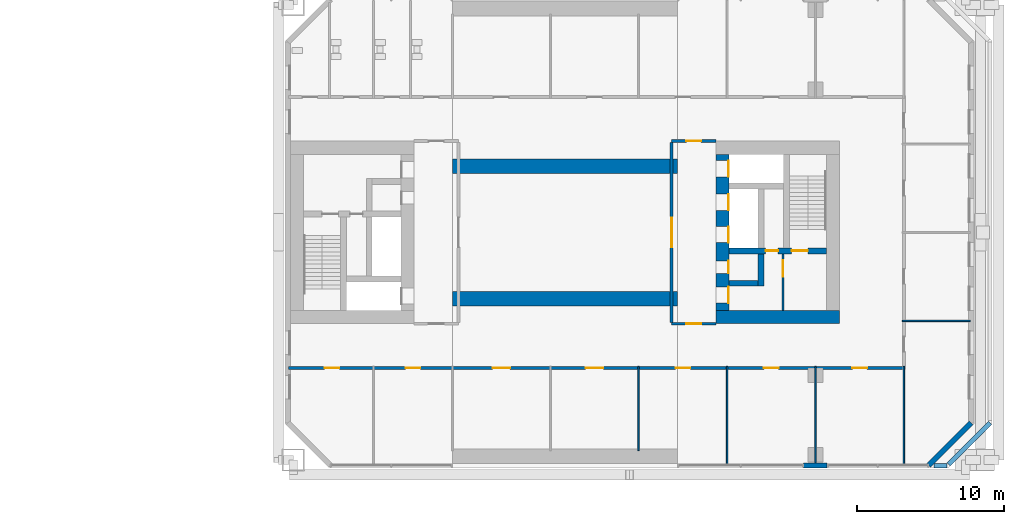
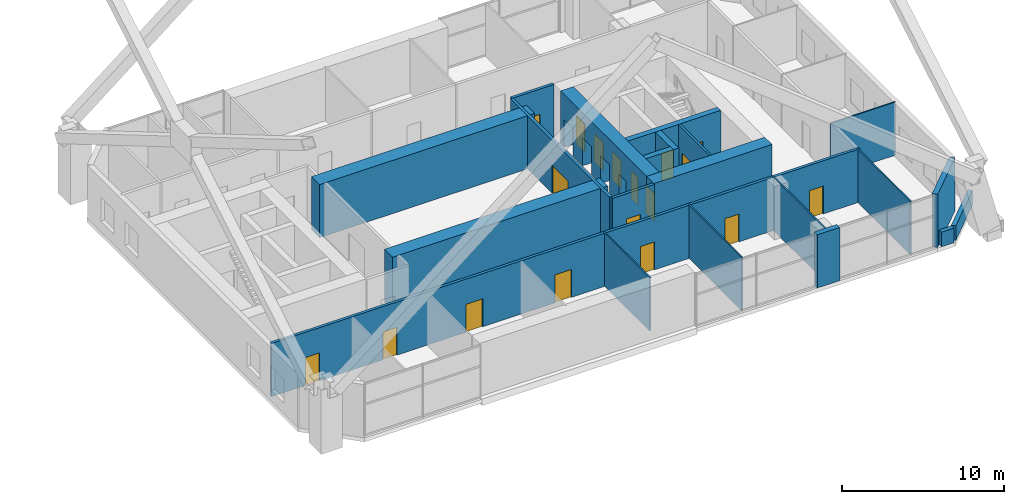
# One storey, part 21 of 25: 21 walls, 18 doors, 18 openings.
"""IFC4 building model written with IfcOpenShell, lengths in metres."""

from ifc_helpers import new_model, si_unit, direction, frame, frame_2d, origin, place, context, subcontext, project, spatial, rectangle, extrude, material, layer, layer_set, type_object, element, fill, save


model = new_model("IFC4")

# Units and contexts
model_context = context("Model", 3, precision=1e-05, world=origin(), true_north=direction((0.0, 1.0)))
body_context = subcontext(model_context, "Body", "Model", "MODEL_VIEW")
ifc_project = project(units=[si_unit("LENGTHUNIT", "METRE"), si_unit("AREAUNIT", "SQUARE_METRE"), si_unit("VOLUMEUNIT", "CUBIC_METRE"), si_unit("PLANEANGLEUNIT", "RADIAN"), si_unit("MASSUNIT", "GRAM", prefix="KILO")], contexts=[model_context])

# Site, building, storey
site_placement = place(None, origin())
site = spatial("IfcSite", under=ifc_project, at=site_placement, CompositionType="ELEMENT")
building_placement = place(site_placement, origin())
building = spatial("IfcBuilding", under=site, at=building_placement, Name="Tuart Gate Housing", CompositionType="ELEMENT")
storey_placement = place(building_placement, frame((0.0, 0.0, 14.699951171875)))
storey = spatial("IfcBuildingStorey", under=building, at=storey_placement, Name="L03", CompositionType="ELEMENT", Elevation=14.699951171875)

# Walls
ifc_material_1 = material(Name="Brick", Category="masonry")
ifc_layer_1 = layer(ifc_material_1, 0.300048828125)
ifc_layer_set_1 = layer_set([ifc_layer_1], Name="Brick parapet wall 300")
wall_type_1 = type_object("IfcWallType", Name="Brick parapet wall 300", PredefinedType="PARAPET", material=ifc_layer_set_1)
wall_1_placement = place(storey_placement, frame((175.050048828125, 54.14990234375, 0.0), z_axis=(0.0, 0.0, 1.0), x_axis=(1.0, 0.0, 0.0)))
element("IfcWall", 1, at=wall_1_placement, inside=storey, type_object=wall_type_1, Name="Roof parapet B 1", PredefinedType="PARAPET", context=body_context, shape_type="SweptSolid", body=[
    extrude(rectangle(XDim=0.887939453125, YDim=0.300048828125, at=frame_2d((0.44384765625, 0.0))), origin(), (0.0, 0.0, 1.0), 1.10009765625),
])
wall_2_placement = place(storey_placement, frame((176.04541015625, 54.257568359375, 0.0), z_axis=(0.0, 0.0, 1.0), x_axis=(0.707137557743, 0.70707600329, 0.0)))
element("IfcWall", 2, at=wall_2_placement, inside=storey, type_object=wall_type_1, Name="Roof parapet B 2", PredefinedType="PARAPET", context=body_context, shape_type="SweptSolid", body=[
    extrude(rectangle(XDim=3.96630859375, YDim=0.300048828125, at=frame_2d((1.983154296875, 0.0))), origin(), (0.0, 0.0, 1.0), 1.10009765625),
])
ifc_material_2 = material(Name="Brick", Category="masonry")
ifc_layer_2 = layer(ifc_material_2, 0.360107421875)
ifc_layer_set_2 = layer_set([ifc_layer_2], Name="Brick pier and spandrel wall 360")
wall_type_2 = type_object("IfcWallType", Name="Brick pier and spandrel wall 360", PredefinedType="STANDARD", material=ifc_layer_set_2)
wall_3_placement = place(storey_placement, frame((166.199951171875, 54.179931640625, 0.0), z_axis=(0.0, 0.0, 1.0), x_axis=(1.0, 0.0, 0.0)))
element("IfcWall", 3, at=wall_3_placement, inside=storey, type_object=wall_type_2, Name="External wall B-S L03", PredefinedType="STANDARD", context=body_context, shape_type="SweptSolid", body=[
    extrude(rectangle(XDim=1.60009765625, YDim=0.360107421875, at=frame_2d((0.800048828125, 0.0))), origin(), (0.0, 0.0, 1.0), 4.0),
])
wall_4_placement = place(storey_placement, frame((174.67529296875, 54.179931640625, 0.0), z_axis=(0.0, 0.0, 1.0), x_axis=(0.707106781187, 0.707106781187, 0.0)))
element("IfcWall", 4, at=wall_4_placement, inside=storey, type_object=wall_type_2, Name="External wall B-SE L03", PredefinedType="STANDARD", context=body_context, shape_type="SweptSolid", body=[
    extrude(rectangle(XDim=4.09375, YDim=0.360107421875, at=frame_2d((2.046875, 0.0))), origin(), (0.0, 0.0, 1.0), 4.0),
])

# Wall, opening, door
ifc_material_3 = material(Name="Plasterboard partition")
ifc_layer_3 = layer(ifc_material_3, 0.14990234375)
ifc_layer_set_3 = layer_set([ifc_layer_3], Name="Core partition 150")
wall_type_3 = type_object("IfcWallType", Name="Core partition 150", PredefinedType="PARTITIONING", material=ifc_layer_set_3)
wall_5_placement = place(storey_placement, frame((164.7900390625, 68.550048828125, 0.0), z_axis=(0.0, 0.0, 1.0), x_axis=(0.0, -1.0, 0.0)))
wall_5 = element("IfcWall", 5, at=wall_5_placement, inside=storey, type_object=wall_type_3, Name="Core partition BK.6", PredefinedType="PARTITIONING", context=body_context, shape_type="SweptSolid", body=[
    extrude(rectangle(XDim=3.85009765625, YDim=0.14990234375, at=frame_2d((1.925048828125, 0.0))), origin(), (0.0, 0.0, 1.0), 4.0),
])
opening_1_placement = place(wall_5_placement, frame((0.449951171875, 0.0, 0.0)))
opening_1 = element("IfcOpeningElement", 6, at=opening_1_placement, cuts=wall_5, Name="Opening D061", PredefinedType="OPENING", context=body_context, shape_type="SweptSolid", body=[
    extrude(rectangle(XDim=1.10009765625, YDim=2.10009765625, at=frame_2d((0.550048828125, 1.050048828125))), frame((0.0, 0.0849609375, 0.0), z_axis=(0.0, -1.0, 0.0), x_axis=(1.0, 0.0, 0.0)), (0.0, 0.0, 1.0), 0.169921875),
])
ifc_material_4 = material(Name="Steel fire door", Category="steel")
door_type_1 = type_object("IfcDoorType", Name="Lobby door 1100 x 2100", OperationType="SINGLE_SWING_LEFT", PredefinedType="DOOR", material=ifc_material_4)
door_1_placement = place(opening_1_placement, origin())
door_1 = element("IfcDoor", 7, at=door_1_placement, inside=storey, type_object=door_type_1, Name="Smoke lobby door BK.KD", OperationType="SINGLE_SWING_LEFT", OverallHeight=2.10009765625, OverallWidth=1.10009765625, PredefinedType="DOOR", context=body_context, shape_type="SweptSolid", body=[
    extrude(rectangle(XDim=1.10009765625, YDim=2.10009765625, at=frame_2d((0.550048828125, 1.050048828125))), frame((0.0, 0.02490234375, 0.0), z_axis=(0.0, -1.0, 0.0), x_axis=(1.0, 0.0, 0.0)), (0.0, 0.0, 1.0), 0.050048828125),
])
fill(opening_1, door_1)

# Wall, openings, doors
ifc_material_5 = material(Name="Concrete C60", Category="concrete")
ifc_layer_4 = layer(ifc_material_5, 0.39990234375)
ifc_layer_set_4 = layer_set([ifc_layer_4], Name="Core wall 400 C60")
wall_type_4 = type_object("IfcWallType", Name="Core wall 400 C60", PredefinedType="SHEAR", material=ifc_layer_set_4)
wall_6_placement = place(storey_placement, frame((161.139892578125, 68.75, 0.0), z_axis=(0.0, 0.0, 1.0), x_axis=(1.0, 0.0, 0.0)))
wall_6 = element("IfcWall", 8, at=wall_6_placement, inside=storey, type_object=wall_type_4, Name="Core wall BK.2", PredefinedType="SHEAR", context=body_context, shape_type="SweptSolid", body=[
    extrude(rectangle(XDim=6.60009765625, YDim=0.39990234375, at=frame_2d((3.300048828125, 0.0))), origin(), (0.0, 0.0, 1.0), 4.0),
])
opening_2_placement = place(wall_6_placement, frame((4.25, 0.0, 0.0)))
opening_2 = element("IfcOpeningElement", 9, at=opening_2_placement, cuts=wall_6, Name="Opening D060", PredefinedType="OPENING", context=body_context, shape_type="SweptSolid", body=[
    extrude(rectangle(XDim=1.10009765625, YDim=2.10009765625, at=frame_2d((0.550048828125, 1.050048828125))), frame((0.0, 0.2099609375, 0.0), z_axis=(0.0, -1.0, 0.0), x_axis=(1.0, 0.0, 0.0)), (0.0, 0.0, 1.0), 0.419921875),
])
opening_3_placement = place(wall_6_placement, frame((2.47509765625, 0.0, 0.0)))
opening_3 = element("IfcOpeningElement", 10, at=opening_3_placement, cuts=wall_6, Name="Opening D059", PredefinedType="OPENING", context=body_context, shape_type="SweptSolid", body=[
    extrude(rectangle(XDim=0.85009765625, YDim=2.10009765625, at=frame_2d((0.425048828125, 1.050048828125))), frame((0.0, 0.2099609375, 0.0), z_axis=(0.0, -1.0, 0.0), x_axis=(1.0, 0.0, 0.0)), (0.0, 0.0, 1.0), 0.419921875),
])
ifc_material_6 = material(Name="Steel fire door", Category="steel")
door_type_2 = type_object("IfcDoorType", Name="Riser door 850 x 2100", OperationType="SINGLE_SWING_LEFT", PredefinedType="DOOR", material=ifc_material_6)
door_2_placement = place(opening_3_placement, origin())
door_2 = element("IfcDoor", 11, at=door_2_placement, inside=storey, type_object=door_type_2, Name="Service room door BK.W1", OperationType="SINGLE_SWING_LEFT", OverallHeight=2.10009765625, OverallWidth=0.85009765625, PredefinedType="DOOR", context=body_context, shape_type="SweptSolid", body=[
    extrude(rectangle(XDim=0.85009765625, YDim=2.10009765625, at=frame_2d((0.425048828125, 1.050048828125))), frame((0.0, 0.02490234375, 0.0), z_axis=(0.0, -1.0, 0.0), x_axis=(1.0, 0.0, 0.0)), (0.0, 0.0, 1.0), 0.050048828125),
])
fill(opening_3, door_2)
ifc_material_7 = material(Name="Steel fire door", Category="steel")
door_type_3 = type_object("IfcDoorType", Name="Stair door 1100 x 2100", OperationType="SINGLE_SWING_LEFT", PredefinedType="DOOR", material=ifc_material_7)
door_3_placement = place(opening_2_placement, origin())
door_3 = element("IfcDoor", 12, at=door_3_placement, inside=storey, type_object=door_type_3, Name="Stair door BK.SD", OperationType="SINGLE_SWING_LEFT", OverallHeight=2.10009765625, OverallWidth=1.10009765625, PredefinedType="DOOR", context=body_context, shape_type="SweptSolid", body=[
    extrude(rectangle(XDim=1.10009765625, YDim=2.10009765625, at=frame_2d((0.550048828125, 1.050048828125))), frame((0.0, 0.02490234375, 0.0), z_axis=(0.0, -1.0, 0.0), x_axis=(1.0, 0.0, 0.0)), (0.0, 0.0, 1.0), 0.050048828125),
])
fill(opening_2, door_3)

# Walls
wall_7_placement = place(storey_placement, frame((161.139892578125, 66.550048828125, 0.0), z_axis=(0.0, 0.0, 1.0), x_axis=(1.0, 0.0, 0.0)))
element("IfcWall", 13, at=wall_7_placement, inside=storey, type_object=wall_type_4, Name="Core wall BK.3", PredefinedType="SHEAR", context=body_context, shape_type="SweptSolid", body=[
    extrude(rectangle(XDim=1.9501953125, YDim=0.39990234375, at=frame_2d((0.97509765625, 0.0))), origin(), (0.0, 0.0, 1.0), 4.0),
])
wall_8_placement = place(storey_placement, frame((163.2900390625, 68.550048828125, 0.0), z_axis=(0.0, 0.0, 1.0), x_axis=(0.0, -1.0, 0.0)))
element("IfcWall", 14, at=wall_8_placement, inside=storey, type_object=wall_type_4, Name="Core wall BK.5", PredefinedType="SHEAR", context=body_context, shape_type="SweptSolid", body=[
    extrude(rectangle(XDim=2.199951171875, YDim=0.39990234375, at=frame_2d((1.10009765625, 0.0))), origin(), (0.0, 0.0, 1.0), 4.0),
])

# Wall, openings, doors
ifc_material_8 = material(Name="Concrete C60", Category="concrete")
ifc_layer_5 = layer(ifc_material_8, 0.89990234375)
ifc_layer_set_5 = layer_set([ifc_layer_5], Name="Core wall 900 C60")
wall_type_5 = type_object("IfcWallType", Name="Core wall 900 C60", PredefinedType="SHEAR", material=ifc_layer_set_5)
wall_9_placement = place(storey_placement, frame((160.68994140625, 75.300048828125, 0.0), z_axis=(0.0, 0.0, 1.0), x_axis=(0.0, -1.0, 0.0)))
wall_9 = element("IfcWall", 15, at=wall_9_placement, inside=storey, type_object=wall_type_5, Name="Core wall BK front", PredefinedType="SHEAR", context=body_context, shape_type="SweptSolid", body=[
    extrude(rectangle(XDim=10.60009765625, YDim=0.89990234375, at=frame_2d((5.300048828125, 0.0))), origin(), (0.0, 0.0, 1.0), 4.0),
])
opening_4_placement = place(wall_9_placement, frame((0.425048828125, 0.0, 0.0)))
opening_4 = element("IfcOpeningElement", 16, at=opening_4_placement, cuts=wall_9, Name="Opening LD-FB2", PredefinedType="OPENING", context=body_context, shape_type="SweptSolid", body=[
    extrude(rectangle(XDim=1.10009765625, YDim=2.10009765625, at=frame_2d((0.550048828125, 1.050048828125))), frame((0.0, 0.4599609375, 0.0), z_axis=(0.0, -1.0, 0.0), x_axis=(1.0, 0.0, 0.0)), (0.0, 0.0, 1.0), 0.919921875),
])
opening_5_placement = place(wall_9_placement, frame((2.699951171875, 0.0, 0.0)))
opening_5 = element("IfcOpeningElement", 17, at=opening_5_placement, cuts=wall_9, Name="Opening LD-LB3", PredefinedType="OPENING", context=body_context, shape_type="SweptSolid", body=[
    extrude(rectangle(XDim=1.10009765625, YDim=2.10009765625, at=frame_2d((0.550048828125, 1.050048828125))), frame((0.0, 0.4599609375, 0.0), z_axis=(0.0, -1.0, 0.0), x_axis=(1.0, 0.0, 0.0)), (0.0, 0.0, 1.0), 0.919921875),
])
opening_6_placement = place(wall_9_placement, frame((4.89990234375, 0.0, 0.0)))
opening_6 = element("IfcOpeningElement", 18, at=opening_6_placement, cuts=wall_9, Name="Opening LD-LB4", PredefinedType="OPENING", context=body_context, shape_type="SweptSolid", body=[
    extrude(rectangle(XDim=1.10009765625, YDim=2.10009765625, at=frame_2d((0.550048828125, 1.050048828125))), frame((0.0, 0.4599609375, 0.0), z_axis=(0.0, -1.0, 0.0), x_axis=(1.0, 0.0, 0.0)), (0.0, 0.0, 1.0), 0.919921875),
])
opening_7_placement = place(wall_9_placement, frame((9.0, 0.0, 0.0)))
opening_7 = element("IfcOpeningElement", 19, at=opening_7_placement, cuts=wall_9, Name="Opening D053", PredefinedType="OPENING", context=body_context, shape_type="SweptSolid", body=[
    extrude(rectangle(XDim=1.10009765625, YDim=2.10009765625, at=frame_2d((0.550048828125, 1.050048828125))), frame((0.0, 0.4599609375, 0.0), z_axis=(0.0, -1.0, 0.0), x_axis=(1.0, 0.0, 0.0)), (0.0, 0.0, 1.0), 0.919921875),
])
opening_8_placement = place(wall_9_placement, frame((7.22509765625, 0.0, 0.0)))
opening_8 = element("IfcOpeningElement", 20, at=opening_8_placement, cuts=wall_9, Name="Opening D054", PredefinedType="OPENING", context=body_context, shape_type="SweptSolid", body=[
    extrude(rectangle(XDim=0.85009765625, YDim=2.10009765625, at=frame_2d((0.425048828125, 1.050048828125))), frame((0.0, 0.4599609375, 0.0), z_axis=(0.0, -1.0, 0.0), x_axis=(1.0, 0.0, 0.0)), (0.0, 0.0, 1.0), 0.919921875),
])
ifc_material_9 = material(Name="Stainless steel", Category="steel")
door_type_4 = type_object("IfcDoorType", Name="Landing door 1100 x 2100", OperationType="DOUBLE_DOOR_SLIDING", PredefinedType="DOOR", material=ifc_material_9)
door_4_placement = place(opening_4_placement, origin())
door_4 = element("IfcDoor", 21, at=door_4_placement, inside=storey, type_object=door_type_4, Name="Lift landing door FB2", OperationType="DOUBLE_DOOR_SLIDING", OverallHeight=2.10009765625, OverallWidth=1.10009765625, PredefinedType="DOOR", context=body_context, shape_type="SweptSolid", body=[
    extrude(rectangle(XDim=1.10009765625, YDim=2.10009765625, at=frame_2d((0.550048828125, 1.050048828125))), frame((0.0, 0.43505859375, 0.0), z_axis=(0.0, -1.0, 0.0), x_axis=(1.0, 0.0, 0.0)), (0.0, 0.0, 1.0), 0.050048828125),
])
fill(opening_4, door_4)
door_5_placement = place(opening_5_placement, origin())
door_5 = element("IfcDoor", 22, at=door_5_placement, inside=storey, type_object=door_type_4, Name="Lift landing door LB3", OperationType="DOUBLE_DOOR_SLIDING", OverallHeight=2.10009765625, OverallWidth=1.10009765625, PredefinedType="DOOR", context=body_context, shape_type="SweptSolid", body=[
    extrude(rectangle(XDim=1.10009765625, YDim=2.10009765625, at=frame_2d((0.550048828125, 1.050048828125))), frame((0.0, 0.43505859375, 0.0), z_axis=(0.0, -1.0, 0.0), x_axis=(1.0, 0.0, 0.0)), (0.0, 0.0, 1.0), 0.050048828125),
])
fill(opening_5, door_5)
door_6_placement = place(opening_6_placement, origin())
door_6 = element("IfcDoor", 23, at=door_6_placement, inside=storey, type_object=door_type_4, Name="Lift landing door LB4", OperationType="DOUBLE_DOOR_SLIDING", OverallHeight=2.10009765625, OverallWidth=1.10009765625, PredefinedType="DOOR", context=body_context, shape_type="SweptSolid", body=[
    extrude(rectangle(XDim=1.10009765625, YDim=2.10009765625, at=frame_2d((0.550048828125, 1.050048828125))), frame((0.0, 0.43505859375, 0.0), z_axis=(0.0, -1.0, 0.0), x_axis=(1.0, 0.0, 0.0)), (0.0, 0.0, 1.0), 0.050048828125),
])
fill(opening_6, door_6)
door_7_placement = place(opening_7_placement, origin())
door_7 = element("IfcDoor", 24, at=door_7_placement, inside=storey, type_object=door_type_1, Name="Lobby entry door BK.EN", OperationType="SINGLE_SWING_LEFT", OverallHeight=2.10009765625, OverallWidth=1.10009765625, PredefinedType="DOOR", context=body_context, shape_type="SweptSolid", body=[
    extrude(rectangle(XDim=1.10009765625, YDim=2.10009765625, at=frame_2d((0.550048828125, 1.050048828125))), frame((0.0, 0.43505859375, 0.0), z_axis=(0.0, -1.0, 0.0), x_axis=(1.0, 0.0, 0.0)), (0.0, 0.0, 1.0), 0.050048828125),
])
fill(opening_7, door_7)
ifc_material_10 = material(Name="Steel fire door", Category="steel")
door_type_5 = type_object("IfcDoorType", Name="Service door 850 x 2100", OperationType="SINGLE_SWING_LEFT", PredefinedType="DOOR", material=ifc_material_10)
door_8_placement = place(opening_8_placement, origin())
door_8 = element("IfcDoor", 25, at=door_8_placement, inside=storey, type_object=door_type_5, Name="Service room door BK.T1", OperationType="SINGLE_SWING_LEFT", OverallHeight=2.10009765625, OverallWidth=0.85009765625, PredefinedType="DOOR", context=body_context, shape_type="SweptSolid", body=[
    extrude(rectangle(XDim=0.85009765625, YDim=2.10009765625, at=frame_2d((0.425048828125, 1.050048828125))), frame((0.0, 0.43505859375, 0.0), z_axis=(0.0, -1.0, 0.0), x_axis=(1.0, 0.0, 0.0)), (0.0, 0.0, 1.0), 0.050048828125),
])
fill(opening_8, door_8)

# Wall
wall_10_placement = place(storey_placement, frame((160.239990234375, 64.25, 0.0), z_axis=(0.0, 0.0, 1.0), x_axis=(1.0, 0.0, 0.0)))
element("IfcWall", 26, at=wall_10_placement, inside=storey, type_object=wall_type_5, Name="Core wall BK north", PredefinedType="SHEAR", context=body_context, shape_type="SweptSolid", body=[
    extrude(rectangle(XDim=8.39990234375, YDim=0.89990234375, at=frame_2d((4.199951171875, 0.0))), origin(), (0.0, 0.0, 1.0), 4.0),
])

# Wall, openings, doors
ifc_material_11 = material(Name="Concrete masonry 15 MPa", Category="masonry")
ifc_layer_6 = layer(ifc_material_11, 0.199951171875)
ifc_layer_set_6 = layer_set([ifc_layer_6], Name="Corridor wall masonry 200")
wall_type_6 = type_object("IfcWallType", Name="Corridor wall masonry 200", PredefinedType="PARTITIONING", material=ifc_layer_set_6)
wall_11_placement = place(storey_placement, frame((131.239990234375, 60.800048828125, 0.0), z_axis=(0.0, 0.0, 1.0), x_axis=(1.0, 0.0, 0.0)))
wall_11 = element("IfcWall", 27, at=wall_11_placement, inside=storey, type_object=wall_type_6, Name="Corridor wall masonry 200", PredefinedType="PARTITIONING", context=body_context, shape_type="SweptSolid", body=[
    extrude(rectangle(XDim=41.860107421875, YDim=0.199951171875, at=frame_2d((20.93017578125, 0.0))), origin(), (0.0, 0.0, 1.0), 4.0),
])
opening_9_placement = place(wall_11_placement, frame((2.43994140625, 0.0, 0.0)))
opening_9 = element("IfcOpeningElement", 28, at=opening_9_placement, cuts=wall_11, Name="Opening D064", PredefinedType="OPENING", context=body_context, shape_type="SweptSolid", body=[
    extrude(rectangle(XDim=1.0, YDim=2.10009765625, at=frame_2d((0.5, 1.050048828125))), frame((0.0, 0.10986328125, 0.0), z_axis=(0.0, -1.0, 0.0), x_axis=(1.0, 0.0, 0.0)), (0.0, 0.0, 1.0), 0.219970703125),
])
opening_10_placement = place(wall_11_placement, frame((7.93505859375, 0.0, 0.0)))
opening_10 = element("IfcOpeningElement", 29, at=opening_10_placement, cuts=wall_11, Name="Opening D065", PredefinedType="OPENING", context=body_context, shape_type="SweptSolid", body=[
    extrude(rectangle(XDim=1.0, YDim=2.10009765625, at=frame_2d((0.5, 1.050048828125))), frame((0.0, 0.10986328125, 0.0), z_axis=(0.0, -1.0, 0.0), x_axis=(1.0, 0.0, 0.0)), (0.0, 0.0, 1.0), 0.219970703125),
])
opening_11_placement = place(wall_11_placement, frame((13.8349609375, 0.0, 0.0)))
opening_11 = element("IfcOpeningElement", 30, at=opening_11_placement, cuts=wall_11, Name="Opening D069", PredefinedType="OPENING", context=body_context, shape_type="SweptSolid", body=[
    extrude(rectangle(XDim=1.199951171875, YDim=2.10009765625, at=frame_2d((0.60009765625, 1.050048828125))), frame((0.0, 0.10986328125, 0.0), z_axis=(0.0, -1.0, 0.0), x_axis=(1.0, 0.0, 0.0)), (0.0, 0.0, 1.0), 0.219970703125),
])
opening_12_placement = place(wall_11_placement, frame((20.159912109375, 0.0, 0.0)))
opening_12 = element("IfcOpeningElement", 31, at=opening_12_placement, cuts=wall_11, Name="Opening D070", PredefinedType="OPENING", context=body_context, shape_type="SweptSolid", body=[
    extrude(rectangle(XDim=1.199951171875, YDim=2.10009765625, at=frame_2d((0.60009765625, 1.050048828125))), frame((0.0, 0.10986328125, 0.0), z_axis=(0.0, -1.0, 0.0), x_axis=(1.0, 0.0, 0.0)), (0.0, 0.0, 1.0), 0.219970703125),
])
opening_13_placement = place(wall_11_placement, frame((26.260009765625, 0.0, 0.0)))
opening_13 = element("IfcOpeningElement", 32, at=opening_13_placement, cuts=wall_11, Name="Opening D066", PredefinedType="OPENING", context=body_context, shape_type="SweptSolid", body=[
    extrude(rectangle(XDim=1.0, YDim=2.10009765625, at=frame_2d((0.5, 1.050048828125))), frame((0.0, 0.10986328125, 0.0), z_axis=(0.0, -1.0, 0.0), x_axis=(1.0, 0.0, 0.0)), (0.0, 0.0, 1.0), 0.219970703125),
])
opening_14_placement = place(wall_11_placement, frame((32.260009765625, 0.0, 0.0)))
opening_14 = element("IfcOpeningElement", 33, at=opening_14_placement, cuts=wall_11, Name="Opening D067", PredefinedType="OPENING", context=body_context, shape_type="SweptSolid", body=[
    extrude(rectangle(XDim=1.0, YDim=2.10009765625, at=frame_2d((0.5, 1.050048828125))), frame((0.0, 0.10986328125, 0.0), z_axis=(0.0, -1.0, 0.0), x_axis=(1.0, 0.0, 0.0)), (0.0, 0.0, 1.0), 0.219970703125),
])
opening_15_placement = place(wall_11_placement, frame((38.260009765625, 0.0, 0.0)))
opening_15 = element("IfcOpeningElement", 34, at=opening_15_placement, cuts=wall_11, Name="Opening D068", PredefinedType="OPENING", context=body_context, shape_type="SweptSolid", body=[
    extrude(rectangle(XDim=1.0, YDim=2.10009765625, at=frame_2d((0.5, 1.050048828125))), frame((0.0, 0.10986328125, 0.0), z_axis=(0.0, -1.0, 0.0), x_axis=(1.0, 0.0, 0.0)), (0.0, 0.0, 1.0), 0.219970703125),
])
ifc_material_12 = material(Name="Timber door leaf in steel frame", Category="steel")
door_type_6 = type_object("IfcDoorType", Name="Fire door 1000 RH", OperationType="SINGLE_SWING_RIGHT", PredefinedType="DOOR", material=ifc_material_12)
door_9_placement = place(opening_9_placement, frame((1.0, 0.0, 0.0), z_axis=(0.0, 0.0, 1.0), x_axis=(-1.0, 0.0, 0.0)))
door_9 = element("IfcDoor", 35, at=door_9_placement, inside=storey, type_object=door_type_6, Name="Fire door 1000", OperationType="SINGLE_SWING_RIGHT", OverallHeight=2.10009765625, OverallWidth=1.0, PredefinedType="DOOR", context=body_context, shape_type="SweptSolid", body=[
    extrude(rectangle(XDim=1.0, YDim=2.10009765625, at=frame_2d((0.5, 1.050048828125))), frame((0.0, 0.025146484375, 0.0), z_axis=(0.0, -1.0, 0.0), x_axis=(1.0, 0.0, 0.0)), (0.0, 0.0, 1.0), 0.050048828125),
])
fill(opening_9, door_9)
door_10_placement = place(opening_10_placement, frame((1.0, 0.0, 0.0), z_axis=(0.0, 0.0, 1.0), x_axis=(-1.0, 0.0, 0.0)))
door_10 = element("IfcDoor", 36, at=door_10_placement, inside=storey, type_object=door_type_6, Name="Fire door 1000", OperationType="SINGLE_SWING_RIGHT", OverallHeight=2.10009765625, OverallWidth=1.0, PredefinedType="DOOR", context=body_context, shape_type="SweptSolid", body=[
    extrude(rectangle(XDim=1.0, YDim=2.10009765625, at=frame_2d((0.5, 1.050048828125))), frame((0.0, 0.025146484375, 0.0), z_axis=(0.0, -1.0, 0.0), x_axis=(1.0, 0.0, 0.0)), (0.0, 0.0, 1.0), 0.050048828125),
])
fill(opening_10, door_10)
door_11_placement = place(opening_13_placement, frame((1.0, 0.0, 0.0), z_axis=(0.0, 0.0, 1.0), x_axis=(-1.0, 0.0, 0.0)))
door_11 = element("IfcDoor", 37, at=door_11_placement, inside=storey, type_object=door_type_6, Name="Fire door 1000", OperationType="SINGLE_SWING_RIGHT", OverallHeight=2.10009765625, OverallWidth=1.0, PredefinedType="DOOR", context=body_context, shape_type="SweptSolid", body=[
    extrude(rectangle(XDim=1.0, YDim=2.10009765625, at=frame_2d((0.5, 1.050048828125))), frame((0.0, 0.025146484375, 0.0), z_axis=(0.0, -1.0, 0.0), x_axis=(1.0, 0.0, 0.0)), (0.0, 0.0, 1.0), 0.050048828125),
])
fill(opening_13, door_11)
door_12_placement = place(opening_14_placement, frame((1.0, 0.0, 0.0), z_axis=(0.0, 0.0, 1.0), x_axis=(-1.0, 0.0, 0.0)))
door_12 = element("IfcDoor", 38, at=door_12_placement, inside=storey, type_object=door_type_6, Name="Fire door 1000", OperationType="SINGLE_SWING_RIGHT", OverallHeight=2.10009765625, OverallWidth=1.0, PredefinedType="DOOR", context=body_context, shape_type="SweptSolid", body=[
    extrude(rectangle(XDim=1.0, YDim=2.10009765625, at=frame_2d((0.5, 1.050048828125))), frame((0.0, 0.025146484375, 0.0), z_axis=(0.0, -1.0, 0.0), x_axis=(1.0, 0.0, 0.0)), (0.0, 0.0, 1.0), 0.050048828125),
])
fill(opening_14, door_12)
door_13_placement = place(opening_15_placement, frame((1.0, 0.0, 0.0), z_axis=(0.0, 0.0, 1.0), x_axis=(-1.0, 0.0, 0.0)))
door_13 = element("IfcDoor", 39, at=door_13_placement, inside=storey, type_object=door_type_6, Name="Fire door 1000", OperationType="SINGLE_SWING_RIGHT", OverallHeight=2.10009765625, OverallWidth=1.0, PredefinedType="DOOR", context=body_context, shape_type="SweptSolid", body=[
    extrude(rectangle(XDim=1.0, YDim=2.10009765625, at=frame_2d((0.5, 1.050048828125))), frame((0.0, 0.025146484375, 0.0), z_axis=(0.0, -1.0, 0.0), x_axis=(1.0, 0.0, 0.0)), (0.0, 0.0, 1.0), 0.050048828125),
])
fill(opening_15, door_13)
ifc_material_13 = material(Name="Timber door leaf in steel frame", Category="steel")
door_type_7 = type_object("IfcDoorType", Name="Fire door 1200 RH", OperationType="SINGLE_SWING_RIGHT", PredefinedType="DOOR", material=ifc_material_13)
door_14_placement = place(opening_11_placement, frame((1.199951171875, 0.0, 0.0), z_axis=(0.0, 0.0, 1.0), x_axis=(-1.0, 0.0, 0.0)))
door_14 = element("IfcDoor", 40, at=door_14_placement, inside=storey, type_object=door_type_7, Name="Fire door 1200", OperationType="SINGLE_SWING_RIGHT", OverallHeight=2.10009765625, OverallWidth=1.199951171875, PredefinedType="DOOR", context=body_context, shape_type="SweptSolid", body=[
    extrude(rectangle(XDim=1.199951171875, YDim=2.10009765625, at=frame_2d((0.599853515625, 1.050048828125))), frame((0.0, 0.025146484375, 0.0), z_axis=(0.0, -1.0, 0.0), x_axis=(1.0, 0.0, 0.0)), (0.0, 0.0, 1.0), 0.050048828125),
])
fill(opening_11, door_14)
door_15_placement = place(opening_12_placement, frame((1.199951171875, 0.0, 0.0), z_axis=(0.0, 0.0, 1.0), x_axis=(-1.0, 0.0, 0.0)))
door_15 = element("IfcDoor", 41, at=door_15_placement, inside=storey, type_object=door_type_7, Name="Fire door 1200", OperationType="SINGLE_SWING_RIGHT", OverallHeight=2.10009765625, OverallWidth=1.199951171875, PredefinedType="DOOR", context=body_context, shape_type="SweptSolid", body=[
    extrude(rectangle(XDim=1.199951171875, YDim=2.10009765625, at=frame_2d((0.599853515625, 1.050048828125))), frame((0.0, 0.025146484375, 0.0), z_axis=(0.0, -1.0, 0.0), x_axis=(1.0, 0.0, 0.0)), (0.0, 0.0, 1.0), 0.050048828125),
])
fill(opening_12, door_15)

# Wall, opening, door
ifc_material_14 = material(Name="Concrete masonry 15 MPa", Category="masonry")
ifc_layer_7 = layer(ifc_material_14, 0.199951171875)
ifc_layer_set_7 = layer_set([ifc_layer_7], Name="Enclosure wall masonry 200")
wall_type_7 = type_object("IfcWallType", Name="Enclosure wall masonry 200", PredefinedType="PARTITIONING", material=ifc_layer_set_7)
wall_12_placement = place(storey_placement, frame((157.239990234375, 63.800048828125, 0.0), z_axis=(0.0, 0.0, 1.0), x_axis=(1.0, 0.0, 0.0)))
wall_12 = element("IfcWall", 42, at=wall_12_placement, inside=storey, type_object=wall_type_7, Name="Enclosure wall masonry 200", PredefinedType="PARTITIONING", context=body_context, shape_type="SweptSolid", body=[
    extrude(rectangle(XDim=3.0, YDim=0.199951171875, at=frame_2d((1.5, 0.0))), origin(), (0.0, 0.0, 1.0), 4.0),
])
opening_16_placement = place(wall_12_placement, frame((1.0, 0.0, 0.0)))
opening_16 = element("IfcOpeningElement", 43, at=opening_16_placement, cuts=wall_12, Name="Opening D063", PredefinedType="OPENING", context=body_context, shape_type="SweptSolid", body=[
    extrude(rectangle(XDim=1.0, YDim=2.10009765625, at=frame_2d((0.5, 1.050048828125))), frame((0.0, 0.10986328125, 0.0), z_axis=(0.0, -1.0, 0.0), x_axis=(1.0, 0.0, 0.0)), (0.0, 0.0, 1.0), 0.219970703125),
])
ifc_material_15 = material(Name="Timber door leaf in steel frame", Category="steel")
door_type_8 = type_object("IfcDoorType", Name="Lobby door 1000", OperationType="SINGLE_SWING_LEFT", PredefinedType="DOOR", material=ifc_material_15)
door_16_placement = place(opening_16_placement, origin())
door_16 = element("IfcDoor", 44, at=door_16_placement, inside=storey, type_object=door_type_8, Name="Lobby door 1000", OperationType="SINGLE_SWING_LEFT", OverallHeight=2.10009765625, OverallWidth=1.0, PredefinedType="DOOR", context=body_context, shape_type="SweptSolid", body=[
    extrude(rectangle(XDim=1.0, YDim=2.10009765625, at=frame_2d((0.5, 1.050048828125))), frame((0.0, 0.02490234375, 0.0), z_axis=(0.0, -1.0, 0.0), x_axis=(1.0, 0.0, 0.0)), (0.0, 0.0, 1.0), 0.050048828125),
])
fill(opening_16, door_16)

wall_13_placement = place(storey_placement, frame((157.239990234375, 76.199951171875, 0.0), z_axis=(0.0, 0.0, 1.0), x_axis=(1.0, 0.0, 0.0)))
wall_13 = element("IfcWall", 45, at=wall_13_placement, inside=storey, type_object=wall_type_7, Name="Enclosure wall masonry 200", PredefinedType="PARTITIONING", context=body_context, shape_type="SweptSolid", body=[
    extrude(rectangle(XDim=3.0, YDim=0.199951171875, at=frame_2d((1.5, 0.0))), origin(), (0.0, 0.0, 1.0), 4.0),
])
opening_17_placement = place(wall_13_placement, frame((1.0, 0.0, 0.0)))
opening_17 = element("IfcOpeningElement", 46, at=opening_17_placement, cuts=wall_13, Name="Opening D046", PredefinedType="OPENING", context=body_context, shape_type="SweptSolid", body=[
    extrude(rectangle(XDim=1.0, YDim=2.10009765625, at=frame_2d((0.5, 1.050048828125))), frame((0.0, 0.10986328125, 0.0), z_axis=(0.0, -1.0, 0.0), x_axis=(1.0, 0.0, 0.0)), (0.0, 0.0, 1.0), 0.219970703125),
])
ifc_material_16 = material(Name="Timber door leaf in steel frame", Category="steel")
door_type_9 = type_object("IfcDoorType", Name="Lobby door 1000 RH", OperationType="SINGLE_SWING_RIGHT", PredefinedType="DOOR", material=ifc_material_16)
door_17_placement = place(opening_17_placement, frame((1.0, 0.0, 0.0), z_axis=(0.0, 0.0, 1.0), x_axis=(-1.0, 0.0, 0.0)))
door_17 = element("IfcDoor", 47, at=door_17_placement, inside=storey, type_object=door_type_9, Name="Lobby door 1000", OperationType="SINGLE_SWING_RIGHT", OverallHeight=2.10009765625, OverallWidth=1.0, PredefinedType="DOOR", context=body_context, shape_type="SweptSolid", body=[
    extrude(rectangle(XDim=1.0, YDim=2.10009765625, at=frame_2d((0.5, 1.050048828125))), frame((0.0, 0.025146484375, 0.0), z_axis=(0.0, -1.0, 0.0), x_axis=(1.0, 0.0, 0.0)), (0.0, 0.0, 1.0), 0.050048828125),
])
fill(opening_17, door_17)

ifc_material_17 = material(Name="Plasterboard partition")
ifc_layer_8 = layer(ifc_material_17, 0.199951171875)
ifc_layer_set_8 = layer_set([ifc_layer_8], Name="Lobby wall 200")
wall_type_8 = type_object("IfcWallType", Name="Lobby wall 200", PredefinedType="PARTITIONING", material=ifc_layer_set_8)
wall_14_placement = place(storey_placement, frame((157.239990234375, 63.89990234375, 0.0), z_axis=(0.0, 0.0, 1.0), x_axis=(0.0, 1.0, 0.0)))
wall_14 = element("IfcWall", 48, at=wall_14_placement, inside=storey, type_object=wall_type_8, Name="Lift lobby wall BK", PredefinedType="PARTITIONING", context=body_context, shape_type="SweptSolid", body=[
    extrude(rectangle(XDim=12.2001953125, YDim=0.199951171875, at=frame_2d((6.10009765625, 0.0))), origin(), (0.0, 0.0, 1.0), 4.0),
])
opening_18_placement = place(wall_14_placement, frame((5.10009765625, 0.0, 0.0)))
opening_18 = element("IfcOpeningElement", 49, at=opening_18_placement, cuts=wall_14, Name="Opening D052", PredefinedType="OPENING", context=body_context, shape_type="SweptSolid", body=[
    extrude(rectangle(XDim=2.0, YDim=2.10009765625, at=frame_2d((1.0, 1.050048828125))), frame((0.0, 0.10986328125, 0.0), z_axis=(0.0, -1.0, 0.0), x_axis=(1.0, 0.0, 0.0)), (0.0, 0.0, 1.0), 0.219970703125),
])
ifc_material_18 = material(Name="Steel fire door", Category="steel")
door_type_10 = type_object("IfcDoorType", Name="Smoke door 2000 x 2100", OperationType="DOUBLE_DOOR_SINGLE_SWING", PredefinedType="DOOR", material=ifc_material_18)
door_18_placement = place(opening_18_placement, frame((2.0, 0.0, 0.0), z_axis=(0.0, 0.0, 1.0), x_axis=(-1.0, 0.0, 0.0)))
door_18 = element("IfcDoor", 50, at=door_18_placement, inside=storey, type_object=door_type_10, Name="Lift lobby smoke door BK", OperationType="DOUBLE_DOOR_SINGLE_SWING", OverallHeight=2.10009765625, OverallWidth=2.0, PredefinedType="DOOR", context=body_context, shape_type="SweptSolid", body=[
    extrude(rectangle(XDim=2.0, YDim=2.10009765625, at=frame_2d((1.0, 1.050048828125))), frame((0.0, 0.025146484375, 0.0), z_axis=(0.0, -1.0, 0.0), x_axis=(1.0, 0.0, 0.0)), (0.0, 0.0, 1.0), 0.050048828125),
])
fill(opening_18, door_18)

# Walls
ifc_material_19 = material(Name="Gypsum board on steel studs", Category="steel")
ifc_layer_9 = layer(ifc_material_19, 0.10009765625)
ifc_layer_set_9 = layer_set([ifc_layer_9], Name="Partition 100")
wall_type_9 = type_object("IfcWallType", Name="Partition 100", PredefinedType="PARTITIONING", material=ifc_layer_set_9)
wall_15_placement = place(storey_placement, frame((172.89990234375, 64.0, 0.0), z_axis=(0.0, 0.0, 1.0), x_axis=(1.0, 0.0, 0.0)))
element("IfcWall", 51, at=wall_15_placement, inside=storey, type_object=wall_type_9, Name="Partition 100", PredefinedType="PARTITIONING", context=body_context, shape_type="SweptSolid", body=[
    extrude(rectangle(XDim=4.610107421875, YDim=0.10009765625, at=frame_2d((2.30517578125, 0.0))), origin(), (0.0, 0.0, 1.0), 4.0),
])
wall_16_placement = place(storey_placement, frame((155.0, 55.179931640625, 0.0), z_axis=(0.0, 0.0, 1.0), x_axis=(0.0, 1.0, 0.0)))
element("IfcWall", 52, at=wall_16_placement, inside=storey, type_object=wall_type_9, Name="Partition 100", PredefinedType="PARTITIONING", context=body_context, shape_type="SweptSolid", body=[
    extrude(rectangle(XDim=5.719970703125, YDim=0.10009765625, at=frame_2d((2.85986328125, 0.0))), origin(), (0.0, 0.0, 1.0), 4.0),
])
for number, where, z_axis, x_axis, name in (
    (53, (161.0, 54.239990234375, 0.0), (0.0, 0.0, 1.0), (0.0, 1.0, 0.0), "Partition 100"),
    (54, (167.0, 54.239990234375, 0.0), (0.0, 0.0, 1.0), (0.0, 1.0, 0.0), "Partition 100"),
    (55, (173.0, 54.239990234375, 0.0), (0.0, 0.0, 1.0), (0.0, 1.0, 0.0), "Partition 100"),
):
    element("IfcWall", number, at=place(storey_placement, frame(where, z_axis=z_axis, x_axis=x_axis)), inside=storey, type_object=wall_type_9, Name=name, PredefinedType="PARTITIONING", context=body_context, shape_type="SweptSolid", body=[
        extrude(rectangle(XDim=6.659912109375, YDim=0.10009765625, at=frame_2d((3.330078125, 0.0))), origin(), (0.0, 0.0, 1.0), 4.0),
    ])
ifc_material_20 = material(Name="Concrete C60", Category="concrete")
ifc_layer_10 = layer(ifc_material_20, 1.0)
ifc_layer_set_10 = layer_set([ifc_layer_10], Name="RC wall 1000 C60")
wall_type_10 = type_object("IfcWallType", Name="RC wall 1000 C60", PredefinedType="SHEAR", material=ifc_layer_set_10)
for number, where, z_axis, x_axis, name in (
    (56, (142.35009765625, 65.5, 0.0), (0.0, 0.0, 1.0), (1.0, 0.0, 0.0), "Transfer wall B line 2 L03"),
    (57, (142.35009765625, 74.5, 0.0), (0.0, 0.0, 1.0), (1.0, 0.0, 0.0), "Transfer wall B line 3 L03"),
):
    element("IfcWall", number, at=place(storey_placement, frame(where, z_axis=z_axis, x_axis=x_axis)), inside=storey, type_object=wall_type_10, Name=name, PredefinedType="SHEAR", context=body_context, shape_type="SweptSolid", body=[
        extrude(rectangle(XDim=15.2998046875, YDim=1.0, at=frame_2d((7.64990234375, 0.0))), origin(), (0.0, 0.0, 1.0), 4.0),
    ])

save(model, "model.ifc")
